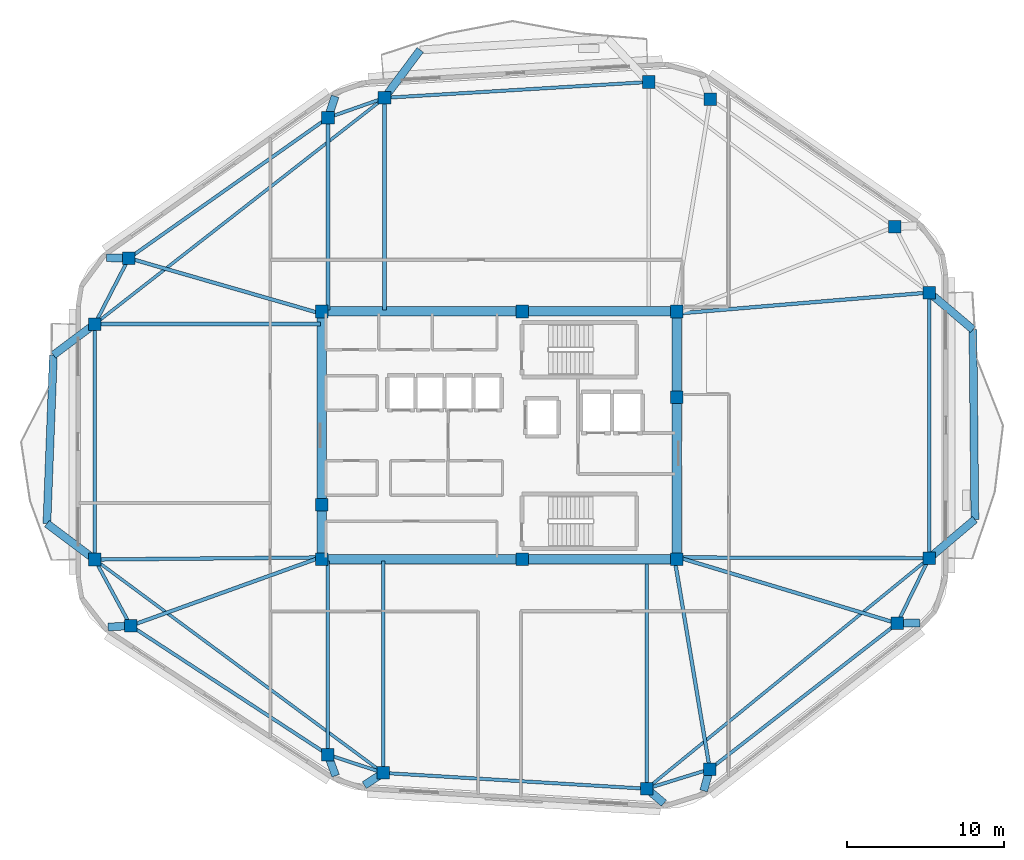
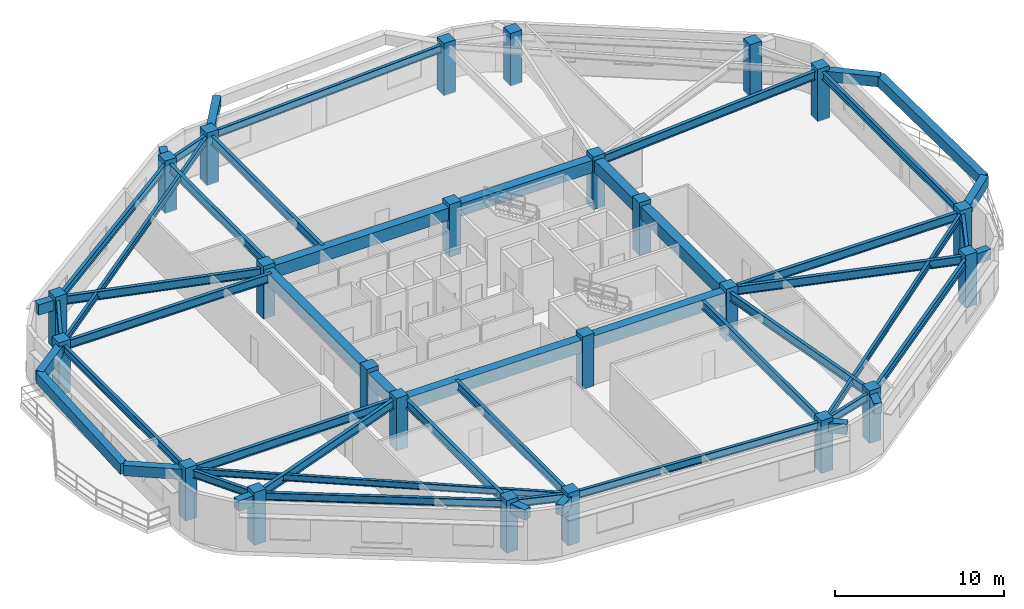
# One storey, part 1 of 9: 52 beams, 24 columns.
"""IFC4 building model written with IfcOpenShell, lengths in metres."""

from ifc_helpers import new_model, si_unit, direction, frame, origin, origin_2d, place, context, subcontext, project, spatial, rectangle, i_section, extrude, material, material_profile, profile_set, type_object, element, save


model = new_model("IFC4")

# Units and contexts
model_context = context("Model", 3, precision=1e-05, world=origin(), true_north=direction((0.0, 1.0)))
body_context = subcontext(model_context, "Body", "Model", "MODEL_VIEW")
ifc_project = project(units=[si_unit("LENGTHUNIT", "METRE"), si_unit("AREAUNIT", "SQUARE_METRE"), si_unit("VOLUMEUNIT", "CUBIC_METRE"), si_unit("PLANEANGLEUNIT", "RADIAN"), si_unit("MASSUNIT", "GRAM", prefix="KILO")], contexts=[model_context])

# Site, building, storey
site_placement = place(None, origin())
site = spatial("IfcSite", under=ifc_project, at=site_placement, CompositionType="ELEMENT")
building_placement = place(site_placement, origin())
building = spatial("IfcBuilding", under=site, at=building_placement, Name="Zulverin Broadcast Headquarters", CompositionType="ELEMENT")
storey_placement = place(building_placement, frame((0.0, 0.0, 244.0)))
storey = spatial("IfcBuildingStorey", under=building, at=storey_placement, Name="L62", CompositionType="ELEMENT", Elevation=244.0)

# Columns
ifc_material_1 = material(Name="Concrete C50/60", Category="concrete")
ifc_material_profile_1 = material_profile(ifc_material_1, rectangle(XDim=0.800048828125, YDim=0.800048828125, at=origin_2d()), Name="Concrete C50/60", Category="concrete")
ifc_profile_set_1 = profile_set([ifc_material_profile_1], Name="Concrete C50/60")
column_type_1 = type_object("IfcColumnType", Name="COL-RC-800", PredefinedType="COLUMN", material=ifc_profile_set_1)
for number, where, z_axis, x_axis, name in (
    (1, (29.6220703125, 3.763671875, 0.0), (0.0, 0.0, 1.0), (1.0, 0.0, 0.0), "L62 Perimeter Column T01"),
    (2, (46.3515625, 2.759521484375, 0.0), (0.0, 0.0, 1.0), (1.0, 0.0, 0.0), "L62 Perimeter Column T02"),
    (3, (50.361083984375, 4.001708984375, 0.0), (0.0, 0.0, 1.0), (1.0, 0.0, 0.0), "L62 Perimeter Column T03"),
    (4, (62.272216796875, 13.262451171875, 0.0), (0.0, 0.0, 1.0), (1.0, 0.0, 0.0), "L62 Perimeter Column T04"),
    (5, (64.300048828125, 17.40771484375, 0.0), (0.0, 0.0, 1.0), (1.0, 0.0, 0.0), "L62 Perimeter Column T05"),
    (6, (64.300048828125, 34.275634765625, 0.0), (0.0, 0.0, 1.0), (1.0, 0.0, 0.0), "L62 Perimeter Column T06"),
    (7, (62.102783203125, 38.465087890625, 0.0), (0.0, 0.0, 1.0), (1.0, 0.0, 0.0), "L62 Perimeter Column T07"),
    (8, (50.39794921875, 46.554443359375, 0.0), (0.0, 0.0, 1.0), (1.0, 0.0, 0.0), "L62 Perimeter Column T08"),
    (9, (46.4814453125, 47.6484375, 0.0), (0.0, 0.0, 1.0), (1.0, 0.0, 0.0), "L62 Perimeter Column T09"),
    (10, (29.70068359375, 46.64111328125, 0.0), (0.0, 0.0, 1.0), (1.0, 0.0, 0.0), "L62 Perimeter Column T10"),
    (11, (26.11474609375, 45.383544921875, 0.0), (0.0, 0.0, 1.0), (1.0, 0.0, 0.0), "L62 Perimeter Column T11"),
    (12, (13.46728515625, 36.457763671875, 0.0), (0.0, 0.0, 1.0), (1.0, 0.0, 0.0), "L62 Perimeter Column T12"),
    (13, (11.300048828125, 32.275390625, 0.0), (0.0, 0.0, 1.0), (1.0, 0.0, 0.0), "L62 Perimeter Column T13"),
    (14, (11.300048828125, 17.318603515625, 0.0), (0.0, 0.0, 1.0), (1.0, 0.0, 0.0), "L62 Perimeter Column T14"),
    (15, (13.576416015625, 13.11181640625, 0.0), (0.0, 0.0, 1.0), (1.0, 0.0, 0.0), "L62 Perimeter Column T15"),
    (16, (26.098876953125, 4.9287109375, 0.0), (0.0, 0.0, 1.0), (1.0, 0.0, 0.0), "L62 Perimeter Column T16"),
):
    element("IfcColumn", number, at=place(storey_placement, frame(where, z_axis=z_axis, x_axis=x_axis)), inside=storey, type_object=column_type_1, Name=name, PredefinedType="COLUMN", context=body_context, shape_type="SweptSolid", body=[
        extrude(rectangle(XDim=0.800048828125, YDim=0.800048828125, at=origin_2d()), origin(), (0.0, 0.0, 1.0), 3.800048828125),
    ])
ifc_material_profile_2 = material_profile(ifc_material_1, rectangle(XDim=0.800048828125, YDim=0.800048828125, at=origin_2d()), Name="Concrete C50/60", Category="concrete")
ifc_profile_set_2 = profile_set([ifc_material_profile_2], Name="Concrete C50/60")
column_type_2 = type_object("IfcColumnType", Name="PIL-RC-800", PredefinedType="PILASTER", material=ifc_profile_set_2)
for number, where, z_axis, x_axis, name in (
    (17, (25.72509765625, 17.324951171875, 0.0), (0.0, 0.0, 1.0), (1.0, 0.0, 0.0), "L62 Core Pilaster K01"),
    (18, (38.449951171875, 17.324951171875, 0.0), (0.0, 0.0, 1.0), (1.0, 0.0, 0.0), "L62 Core Pilaster K02"),
    (19, (48.27490234375, 17.324951171875, 0.0), (0.0, 0.0, 1.0), (1.0, 0.0, 0.0), "L62 Core Pilaster K03"),
    (20, (48.27490234375, 27.6201171875, 0.0), (0.0, 0.0, 1.0), (1.0, 0.0, 0.0), "L62 Core Pilaster K04"),
    (21, (48.27490234375, 33.074951171875, 0.0), (0.0, 0.0, 1.0), (1.0, 0.0, 0.0), "L62 Core Pilaster K05"),
    (22, (38.449951171875, 33.074951171875, 0.0), (0.0, 0.0, 1.0), (1.0, 0.0, 0.0), "L62 Core Pilaster K06"),
    (23, (25.72509765625, 33.074951171875, 0.0), (0.0, 0.0, 1.0), (1.0, 0.0, 0.0), "L62 Core Pilaster K07"),
    (24, (25.72509765625, 20.800048828125, 0.0), (0.0, 0.0, 1.0), (1.0, 0.0, 0.0), "L62 Core Pilaster K08"),
):
    element("IfcColumn", number, at=place(storey_placement, frame(where, z_axis=z_axis, x_axis=x_axis)), inside=storey, type_object=column_type_2, Name=name, PredefinedType="PILASTER", context=body_context, shape_type="SweptSolid", body=[
        extrude(rectangle(XDim=0.800048828125, YDim=0.800048828125, at=origin_2d()), origin(), (0.0, 0.0, 1.0), 3.800048828125),
    ])

# Beams
ifc_material_2 = material(Name="Concrete C60/75", Category="concrete")
ifc_material_profile_3 = material_profile(ifc_material_2, rectangle(XDim=0.60009765625, YDim=0.89990234375, at=origin_2d()), Name="Concrete C60/75", Category="concrete")
ifc_profile_set_3 = profile_set([ifc_material_profile_3], Name="Concrete C60/75")
beam_type_1 = type_object("IfcBeamType", Name="BM-CB-600x900", PredefinedType="LINTEL", material=ifc_profile_set_3)
beam_1_placement = place(storey_placement, frame((25.72509765625, 17.324951171875, 3.06005859375), z_axis=(1.0, 0.0, 0.0), x_axis=(0.0, 1.0, 0.0)))
element("IfcBeam", 25, at=beam_1_placement, inside=storey, type_object=beam_type_1, Name="L62 Core Coupling Girder K01-K02", PredefinedType="LINTEL", context=body_context, shape_type="SweptSolid", body=[
    extrude(rectangle(XDim=0.60009765625, YDim=0.89990234375, at=origin_2d()), origin(), (0.0, 0.0, 1.0), 12.724853515625),
])
beam_2_placement = place(storey_placement, frame((38.449951171875, 17.324951171875, 3.06005859375), z_axis=(1.0, 0.0, 0.0), x_axis=(0.0, 1.0, 0.0)))
element("IfcBeam", 26, at=beam_2_placement, inside=storey, type_object=beam_type_1, Name="L62 Core Coupling Girder K02-K03", PredefinedType="LINTEL", context=body_context, shape_type="SweptSolid", body=[
    extrude(rectangle(XDim=0.60009765625, YDim=0.89990234375, at=origin_2d()), origin(), (0.0, 0.0, 1.0), 9.824951171875),
])
beam_3_placement = place(storey_placement, frame((48.27490234375, 17.324951171875, 3.06005859375), z_axis=(0.0, 1.0, 0.0), x_axis=(-1.0, 0.0, 0.0)))
element("IfcBeam", 27, at=beam_3_placement, inside=storey, type_object=beam_type_1, Name="L62 Core Coupling Girder K03-K04", PredefinedType="LINTEL", context=body_context, shape_type="SweptSolid", body=[
    extrude(rectangle(XDim=0.60009765625, YDim=0.89990234375, at=origin_2d()), origin(), (0.0, 0.0, 1.0), 10.295166015625),
])
beam_4_placement = place(storey_placement, frame((48.27490234375, 27.6201171875, 3.06005859375), z_axis=(0.0, 1.0, 0.0), x_axis=(-1.0, 0.0, 0.0)))
element("IfcBeam", 28, at=beam_4_placement, inside=storey, type_object=beam_type_1, Name="L62 Core Coupling Girder K04-K05", PredefinedType="LINTEL", context=body_context, shape_type="SweptSolid", body=[
    extrude(rectangle(XDim=0.60009765625, YDim=0.89990234375, at=origin_2d()), origin(), (0.0, 0.0, 1.0), 5.454833984375),
])
beam_5_placement = place(storey_placement, frame((48.27490234375, 33.074951171875, 3.06005859375), z_axis=(-1.0, 0.0, 0.0), x_axis=(0.0, -1.0, 0.0)))
element("IfcBeam", 29, at=beam_5_placement, inside=storey, type_object=beam_type_1, Name="L62 Core Coupling Girder K05-K06", PredefinedType="LINTEL", context=body_context, shape_type="SweptSolid", body=[
    extrude(rectangle(XDim=0.60009765625, YDim=0.89990234375, at=origin_2d()), origin(), (0.0, 0.0, 1.0), 9.824951171875),
])
beam_6_placement = place(storey_placement, frame((38.449951171875, 33.074951171875, 3.06005859375), z_axis=(-1.0, 0.0, 0.0), x_axis=(0.0, -1.0, 0.0)))
element("IfcBeam", 30, at=beam_6_placement, inside=storey, type_object=beam_type_1, Name="L62 Core Coupling Girder K06-K07", PredefinedType="LINTEL", context=body_context, shape_type="SweptSolid", body=[
    extrude(rectangle(XDim=0.60009765625, YDim=0.89990234375, at=origin_2d()), origin(), (0.0, 0.0, 1.0), 12.724853515625),
])
beam_7_placement = place(storey_placement, frame((25.72509765625, 33.074951171875, 3.06005859375), z_axis=(0.0, -1.0, 0.0), x_axis=(1.0, 0.0, 0.0)))
element("IfcBeam", 31, at=beam_7_placement, inside=storey, type_object=beam_type_1, Name="L62 Core Coupling Girder K07-K08", PredefinedType="LINTEL", context=body_context, shape_type="SweptSolid", body=[
    extrude(rectangle(XDim=0.60009765625, YDim=0.89990234375, at=origin_2d()), origin(), (0.0, 0.0, 1.0), 12.27490234375),
])
beam_8_placement = place(storey_placement, frame((25.72509765625, 20.800048828125, 3.06005859375), z_axis=(0.0, -1.0, 0.0), x_axis=(1.0, 0.0, 0.0)))
element("IfcBeam", 32, at=beam_8_placement, inside=storey, type_object=beam_type_1, Name="L62 Core Coupling Girder K08-K01", PredefinedType="LINTEL", context=body_context, shape_type="SweptSolid", body=[
    extrude(rectangle(XDim=0.60009765625, YDim=0.89990234375, at=origin_2d()), origin(), (0.0, 0.0, 1.0), 3.47509765625),
])
ifc_material_3 = material(Name="Concrete C40/50", Category="concrete")
ifc_material_profile_4 = material_profile(ifc_material_3, rectangle(XDim=0.5, YDim=0.75, at=origin_2d()), Name="Concrete C40/50", Category="concrete")
ifc_profile_set_4 = profile_set([ifc_material_profile_4], Name="Concrete C40/50")
beam_type_2 = type_object("IfcBeamType", Name="BM-RC-500x750", PredefinedType="BEAM", material=ifc_profile_set_4)
beam_9_placement = place(storey_placement, frame((29.6220703125, 3.763671875, 3.135009765625), z_axis=(-0.83837730459, -0.545090355031, 0.0), x_axis=(0.545090355031, -0.83837730459, 0.0)))
element("IfcBeam", 33, at=beam_9_placement, inside=storey, type_object=beam_type_2, Name="L63 Plate Overhang Back-Spanned Beam OVR-01", PredefinedType="BEAM", context=body_context, shape_type="SweptSolid", body=[
    extrude(rectangle(XDim=0.5, YDim=0.75, at=origin_2d()), origin(), (0.0, 0.0, 1.0), 1.43017578125),
])
for number, where, z_axis, x_axis, name in (
    (34, (46.3515625, 2.759521484375, 3.135009765625), (0.767058538949, -0.641577117598, 0.0), (0.641577117598, 0.767058538949, 0.0), "L63 Plate Overhang Back-Spanned Beam OVR-02"),
    (35, (50.361083984375, 4.001708984375, 3.135009765625), (-0.269914876125, -0.962884188076, 0.0), (0.962884188076, -0.269914876125, 0.0), "L63 Plate Overhang Back-Spanned Beam OVR-03"),
):
    element("IfcBeam", number, at=place(storey_placement, frame(where, z_axis=z_axis, x_axis=x_axis)), inside=storey, type_object=beam_type_2, Name=name, PredefinedType="BEAM", context=body_context, shape_type="SweptSolid", body=[
        extrude(rectangle(XDim=0.5, YDim=0.75, at=origin_2d()), origin(), (0.0, 0.0, 1.0), 1.429931640625),
    ])
for number, where, z_axis, x_axis, name in (
    (36, (62.272216796875, 13.262451171875, 3.135009765625), (0.999706131466, 0.024241507969, 0.0), (-0.024241507969, 0.999706131466, 0.0), "L63 Plate Overhang Back-Spanned Beam OVR-04"),
    (37, (26.11474609375, 45.383544921875, 3.135009765625), (0.314280982662, 0.94933000792, 0.0), (-0.94933000792, 0.314280982662, 0.0), "L63 Plate Overhang Back-Spanned Beam OVR-11"),
):
    element("IfcBeam", number, at=place(storey_placement, frame(where, z_axis=z_axis, x_axis=x_axis)), inside=storey, type_object=beam_type_2, Name=name, PredefinedType="BEAM", context=body_context, shape_type="SweptSolid", body=[
        extrude(rectangle(XDim=0.5, YDim=0.75, at=origin_2d()), origin(), (0.0, 0.0, 1.0), 1.43017578125),
    ])
beam_10_placement = place(storey_placement, frame((13.46728515625, 36.457763671875, 3.135009765625), z_axis=(-0.999761201155, 0.02185270385, 0.0), x_axis=(-0.02185270385, -0.999761201155, 0.0)))
element("IfcBeam", 38, at=beam_10_placement, inside=storey, type_object=beam_type_2, Name="L63 Plate Overhang Back-Spanned Beam OVR-12", PredefinedType="BEAM", context=body_context, shape_type="SweptSolid", body=[
    extrude(rectangle(XDim=0.5, YDim=0.75, at=origin_2d()), origin(), (0.0, 0.0, 1.0), 1.429931640625),
])
beam_11_placement = place(storey_placement, frame((13.576416015625, 13.11181640625, 3.135009765625), z_axis=(-0.998333895448, -0.057701240879, 0.0), x_axis=(0.057701240879, -0.998333895448, 0.0)))
element("IfcBeam", 39, at=beam_11_placement, inside=storey, type_object=beam_type_2, Name="L63 Plate Overhang Back-Spanned Beam OVR-15", PredefinedType="BEAM", context=body_context, shape_type="SweptSolid", body=[
    extrude(rectangle(XDim=0.5, YDim=0.75, at=origin_2d()), origin(), (0.0, 0.0, 1.0), 1.43017578125),
])
beam_12_placement = place(storey_placement, frame((26.098876953125, 4.9287109375, 3.135009765625), z_axis=(0.348109371259, -0.93745392721, 0.0), x_axis=(0.93745392721, 0.348109371259, 0.0)))
element("IfcBeam", 40, at=beam_12_placement, inside=storey, type_object=beam_type_2, Name="L63 Plate Overhang Back-Spanned Beam OVR-16", PredefinedType="BEAM", context=body_context, shape_type="SweptSolid", body=[
    extrude(rectangle(XDim=0.5, YDim=0.75, at=origin_2d()), origin(), (0.0, 0.0, 1.0), 1.429931640625),
])
beam_13_placement = place(storey_placement, frame((64.300048828125, 17.40771484375, 3.135009765625), z_axis=(0.763327794612, 0.646011360561, 0.0), x_axis=(-0.646011360561, 0.763327794612, 0.0)))
element("IfcBeam", 41, at=beam_13_placement, inside=storey, type_object=beam_type_2, Name="L63 Balcony Column-Framed Cantilever BAL_E-1", PredefinedType="BEAM", context=body_context, shape_type="SweptSolid", body=[
    extrude(rectangle(XDim=0.5, YDim=0.75, at=origin_2d()), origin(), (0.0, 0.0, 1.0), 3.800048828125),
])
beam_14_placement = place(storey_placement, frame((64.300048828125, 34.275634765625, 3.135009765625), z_axis=(0.763363371281, -0.645969320778, 0.0), x_axis=(0.645969320778, 0.763363371281, 0.0)))
element("IfcBeam", 42, at=beam_14_placement, inside=storey, type_object=beam_type_2, Name="L63 Balcony Column-Framed Cantilever BAL_E-2", PredefinedType="BEAM", context=body_context, shape_type="SweptSolid", body=[
    extrude(rectangle(XDim=0.5, YDim=0.75, at=origin_2d()), origin(), (0.0, 0.0, 1.0), 3.637451171875),
])
beam_15_placement = place(storey_placement, frame((67.20068359375, 19.862548828125, 3.135009765625), z_axis=(-0.010280360137, 0.999947155701, 0.0), x_axis=(-0.999947155701, -0.010280360137, 0.0)))
element("IfcBeam", 43, at=beam_15_placement, inside=storey, type_object=beam_type_2, Name="L63 Balcony Outer Edge Trimmer Beam BAL_E", PredefinedType="BEAM", context=body_context, shape_type="SweptSolid", body=[
    extrude(rectangle(XDim=0.5, YDim=0.75, at=origin_2d()), origin(), (0.0, 0.0, 1.0), 12.064208984375),
])
beam_16_placement = place(storey_placement, frame((29.70068359375, 46.64111328125, 3.135009765625), z_axis=(0.597756700855, 0.801677570213, 0.0), x_axis=(-0.801677570213, 0.597756700855, 0.0)))
element("IfcBeam", 44, at=beam_16_placement, inside=storey, type_object=beam_type_2, Name="L63 Balcony Column-Framed Cantilever BAL_N-2", PredefinedType="BEAM", context=body_context, shape_type="SweptSolid", body=[
    extrude(rectangle(XDim=0.5, YDim=0.75, at=origin_2d()), origin(), (0.0, 0.0, 1.0), 3.800048828125),
])
beam_17_placement = place(storey_placement, frame((11.300048828125, 32.275390625, 3.135009765625), z_axis=(-0.800222827403, -0.599702781803, 0.0), x_axis=(0.599702781803, -0.800222827403, 0.0)))
element("IfcBeam", 45, at=beam_17_placement, inside=storey, type_object=beam_type_2, Name="L63 Balcony Column-Framed Cantilever BAL_W-1", PredefinedType="BEAM", context=body_context, shape_type="SweptSolid", body=[
    extrude(rectangle(XDim=0.5, YDim=0.75, at=origin_2d()), origin(), (0.0, 0.0, 1.0), 3.2861328125),
])
beam_18_placement = place(storey_placement, frame((11.300048828125, 17.318603515625, 3.135009765625), z_axis=(-0.80024663654, 0.599671010394, 0.0), x_axis=(-0.599671010394, -0.80024663654, 0.0)))
element("IfcBeam", 46, at=beam_18_placement, inside=storey, type_object=beam_type_2, Name="L63 Balcony Column-Framed Cantilever BAL_W-2", PredefinedType="BEAM", context=body_context, shape_type="SweptSolid", body=[
    extrude(rectangle(XDim=0.5, YDim=0.75, at=origin_2d()), origin(), (0.0, 0.0, 1.0), 3.800048828125),
])
beam_19_placement = place(storey_placement, frame((8.67041015625, 30.3046875, 3.135009765625), z_axis=(-0.03839199542, -0.999262755579, 0.0), x_axis=(0.999262755579, -0.03839199542, 0.0)))
element("IfcBeam", 47, at=beam_19_placement, inside=storey, type_object=beam_type_2, Name="L63 Balcony Outer Edge Trimmer Beam BAL_W", PredefinedType="BEAM", context=body_context, shape_type="SweptSolid", body=[
    extrude(rectangle(XDim=0.5, YDim=0.75, at=origin_2d()), origin(), (0.0, 0.0, 1.0), 10.715087890625),
])
ifc_material_4 = material(Name="Structural steel S355JR", Category="steel")
ifc_material_profile_5 = material_profile(ifc_material_4, i_section(OverallWidth=0.19287109375, OverallDepth=0.46728515625, WebThickness=0.011474609375, FlangeThickness=0.01953125, at=origin_2d()), Name="Structural steel S355JR", Category="steel")
ifc_profile_set_5 = profile_set([ifc_material_profile_5], Name="Structural steel S355JR")
beam_type_3 = type_object("IfcBeamType", Name="BM-UB-457", PredefinedType="JOIST", material=ifc_profile_set_5)
beam_20_placement = place(storey_placement, frame((46.3515625, 2.759521484375, 3.2763671875), z_axis=(0.77473799882, 0.632282399869, 0.0), x_axis=(-0.632282399869, 0.77473799882, 0.0)))
element("IfcBeam", 48, at=beam_20_placement, inside=storey, type_object=beam_type_3, Name="L62 Chordal Floor Joist J-01", PredefinedType="JOIST", context=body_context, shape_type="SweptSolid", body=[
    extrude(i_section(OverallWidth=0.19287109375, OverallDepth=0.46728515625, WebThickness=0.011474609375, FlangeThickness=0.01953125, at=origin_2d()), origin(), (0.0, 0.0, 1.0), 23.167236328125),
])
beam_21_placement = place(storey_placement, frame((29.70068359375, 46.64111328125, 3.2763671875), z_axis=(-0.788227438956, -0.615384030079, 0.0), x_axis=(0.615384030079, -0.788227438956, 0.0)))
element("IfcBeam", 49, at=beam_21_placement, inside=storey, type_object=beam_type_3, Name="L62 Chordal Floor Joist J-03", PredefinedType="JOIST", context=body_context, shape_type="SweptSolid", body=[
    extrude(i_section(OverallWidth=0.19287109375, OverallDepth=0.46728515625, WebThickness=0.011474609375, FlangeThickness=0.01953125, at=origin_2d()), origin(), (0.0, 0.0, 1.0), 23.34423828125),
])
beam_22_placement = place(storey_placement, frame((11.300048828125, 17.318603515625, 3.2763671875), z_axis=(0.803912476144, -0.594747619332, 0.0), x_axis=(0.594747619332, 0.803912476144, 0.0)))
element("IfcBeam", 50, at=beam_22_placement, inside=storey, type_object=beam_type_3, Name="L62 Chordal Floor Joist J-04", PredefinedType="JOIST", context=body_context, shape_type="SweptSolid", body=[
    extrude(i_section(OverallWidth=0.19287109375, OverallDepth=0.46728515625, WebThickness=0.011474609375, FlangeThickness=0.01953125, at=origin_2d()), origin(), (0.0, 0.0, 1.0), 22.791015625),
])
ifc_material_profile_6 = material_profile(ifc_material_4, i_section(OverallWidth=0.2119140625, OverallDepth=0.54443359375, WebThickness=0.0126953125, FlangeThickness=0.021240234375, at=origin_2d()), Name="Structural steel S355JR", Category="steel")
ifc_profile_set_6 = profile_set([ifc_material_profile_6], Name="Structural steel S355JR")
beam_type_4 = type_object("IfcBeamType", Name="BM-UB-533", PredefinedType="SPANDREL", material=ifc_profile_set_6)
beam_23_placement = place(storey_placement, frame((29.6220703125, 3.763671875, 3.23779296875), z_axis=(0.998203486609, -0.059914934044, 0.0), x_axis=(0.059914934044, 0.998203486609, 0.0)))
element("IfcBeam", 51, at=beam_23_placement, inside=storey, type_object=beam_type_4, Name="L62 Perimeter Spandrel Beam SP-01", PredefinedType="SPANDREL", context=body_context, shape_type="SweptSolid", body=[
    extrude(i_section(OverallWidth=0.2119140625, OverallDepth=0.54443359375, WebThickness=0.0126953125, FlangeThickness=0.021240234375, at=origin_2d()), origin(), (0.0, 0.0, 1.0), 16.759521484375),
])
beam_24_placement = place(storey_placement, frame((46.3515625, 2.759521484375, 3.23779296875), z_axis=(0.955208799219, 0.295932677978, 0.0), x_axis=(-0.295932677978, 0.955208799219, 0.0)))
element("IfcBeam", 52, at=beam_24_placement, inside=storey, type_object=beam_type_4, Name="L62 Perimeter Spandrel Beam SP-02", PredefinedType="SPANDREL", context=body_context, shape_type="SweptSolid", body=[
    extrude(i_section(OverallWidth=0.2119140625, OverallDepth=0.54443359375, WebThickness=0.0126953125, FlangeThickness=0.021240234375, at=origin_2d()), origin(), (0.0, 0.0, 1.0), 4.197509765625),
])
beam_25_placement = place(storey_placement, frame((50.361083984375, 4.001708984375, 3.23779296875), z_axis=(0.789463732329, 0.613797210271, 0.0), x_axis=(-0.613797210271, 0.789463732329, 0.0)))
element("IfcBeam", 53, at=beam_25_placement, inside=storey, type_object=beam_type_4, Name="L62 Perimeter Spandrel Beam SP-03", PredefinedType="SPANDREL", context=body_context, shape_type="SweptSolid", body=[
    extrude(i_section(OverallWidth=0.2119140625, OverallDepth=0.54443359375, WebThickness=0.0126953125, FlangeThickness=0.021240234375, at=origin_2d()), origin(), (0.0, 0.0, 1.0), 15.087646484375),
])
beam_26_placement = place(storey_placement, frame((62.272216796875, 13.262451171875, 3.23779296875), z_axis=(0.439430258265, 0.898276710219, 0.0), x_axis=(-0.898276710219, 0.439430258265, 0.0)))
element("IfcBeam", 54, at=beam_26_placement, inside=storey, type_object=beam_type_4, Name="L62 Perimeter Spandrel Beam SP-04", PredefinedType="SPANDREL", context=body_context, shape_type="SweptSolid", body=[
    extrude(i_section(OverallWidth=0.2119140625, OverallDepth=0.54443359375, WebThickness=0.0126953125, FlangeThickness=0.021240234375, at=origin_2d()), origin(), (0.0, 0.0, 1.0), 4.61474609375),
])
beam_27_placement = place(storey_placement, frame((64.300048828125, 17.40771484375, 3.23779296875), z_axis=(0.0, 1.0, 0.0), x_axis=(-1.0, 0.0, 0.0)))
element("IfcBeam", 55, at=beam_27_placement, inside=storey, type_object=beam_type_4, Name="L62 Perimeter Spandrel Beam SP-05", PredefinedType="SPANDREL", context=body_context, shape_type="SweptSolid", body=[
    extrude(i_section(OverallWidth=0.2119140625, OverallDepth=0.54443359375, WebThickness=0.0126953125, FlangeThickness=0.021240234375, at=origin_2d()), origin(), (0.0, 0.0, 1.0), 16.867919921875),
])
beam_28_placement = place(storey_placement, frame((46.4814453125, 47.6484375, 3.23779296875), z_axis=(-0.99820314332, -0.059920653088, 0.0), x_axis=(0.059920653088, -0.99820314332, 0.0)))
element("IfcBeam", 56, at=beam_28_placement, inside=storey, type_object=beam_type_4, Name="L62 Perimeter Spandrel Beam SP-09", PredefinedType="SPANDREL", context=body_context, shape_type="SweptSolid", body=[
    extrude(i_section(OverallWidth=0.2119140625, OverallDepth=0.54443359375, WebThickness=0.0126953125, FlangeThickness=0.021240234375, at=origin_2d()), origin(), (0.0, 0.0, 1.0), 16.81103515625),
])
beam_29_placement = place(storey_placement, frame((29.70068359375, 46.64111328125, 3.23779296875), z_axis=(-0.943653845921, -0.330934161243, 0.0), x_axis=(0.330934161243, -0.943653845921, 0.0)))
element("IfcBeam", 57, at=beam_29_placement, inside=storey, type_object=beam_type_4, Name="L62 Perimeter Spandrel Beam SP-10", PredefinedType="SPANDREL", context=body_context, shape_type="SweptSolid", body=[
    extrude(i_section(OverallWidth=0.2119140625, OverallDepth=0.54443359375, WebThickness=0.0126953125, FlangeThickness=0.021240234375, at=origin_2d()), origin(), (0.0, 0.0, 1.0), 3.800048828125),
])
beam_30_placement = place(storey_placement, frame((26.11474609375, 45.383544921875, 3.23779296875), z_axis=(-0.817023806154, -0.576603937012, 0.0), x_axis=(0.576603937012, -0.817023806154, 0.0)))
element("IfcBeam", 58, at=beam_30_placement, inside=storey, type_object=beam_type_4, Name="L62 Perimeter Spandrel Beam SP-11", PredefinedType="SPANDREL", context=body_context, shape_type="SweptSolid", body=[
    extrude(i_section(OverallWidth=0.2119140625, OverallDepth=0.54443359375, WebThickness=0.0126953125, FlangeThickness=0.021240234375, at=origin_2d()), origin(), (0.0, 0.0, 1.0), 15.47998046875),
])
beam_31_placement = place(storey_placement, frame((13.46728515625, 36.457763671875, 3.23779296875), z_axis=(-0.460082658911, -0.887876087621, 0.0), x_axis=(0.887876087621, -0.460082658911, 0.0)))
element("IfcBeam", 59, at=beam_31_placement, inside=storey, type_object=beam_type_4, Name="L62 Perimeter Spandrel Beam SP-12", PredefinedType="SPANDREL", context=body_context, shape_type="SweptSolid", body=[
    extrude(i_section(OverallWidth=0.2119140625, OverallDepth=0.54443359375, WebThickness=0.0126953125, FlangeThickness=0.021240234375, at=origin_2d()), origin(), (0.0, 0.0, 1.0), 4.71044921875),
])
beam_32_placement = place(storey_placement, frame((11.300048828125, 32.275390625, 3.23779296875), z_axis=(0.0, -1.0, 0.0), x_axis=(1.0, 0.0, 0.0)))
element("IfcBeam", 60, at=beam_32_placement, inside=storey, type_object=beam_type_4, Name="L62 Perimeter Spandrel Beam SP-13", PredefinedType="SPANDREL", context=body_context, shape_type="SweptSolid", body=[
    extrude(i_section(OverallWidth=0.2119140625, OverallDepth=0.54443359375, WebThickness=0.0126953125, FlangeThickness=0.021240234375, at=origin_2d()), origin(), (0.0, 0.0, 1.0), 14.956787109375),
])
beam_33_placement = place(storey_placement, frame((11.300048828125, 17.318603515625, 3.23779296875), z_axis=(0.475909852672, -0.879494066, 0.0), x_axis=(0.879494066, 0.475909852672, 0.0)))
element("IfcBeam", 61, at=beam_33_placement, inside=storey, type_object=beam_type_4, Name="L62 Perimeter Spandrel Beam SP-14", PredefinedType="SPANDREL", context=body_context, shape_type="SweptSolid", body=[
    extrude(i_section(OverallWidth=0.2119140625, OverallDepth=0.54443359375, WebThickness=0.0126953125, FlangeThickness=0.021240234375, at=origin_2d()), origin(), (0.0, 0.0, 1.0), 4.783203125),
])
beam_34_placement = place(storey_placement, frame((13.576416015625, 13.11181640625, 3.23779296875), z_axis=(0.837112191398, -0.547031241349, 0.0), x_axis=(0.547031241349, 0.837112191398, 0.0)))
element("IfcBeam", 62, at=beam_34_placement, inside=storey, type_object=beam_type_4, Name="L62 Perimeter Spandrel Beam SP-15", PredefinedType="SPANDREL", context=body_context, shape_type="SweptSolid", body=[
    extrude(i_section(OverallWidth=0.2119140625, OverallDepth=0.54443359375, WebThickness=0.0126953125, FlangeThickness=0.021240234375, at=origin_2d()), origin(), (0.0, 0.0, 1.0), 14.959228515625),
])
beam_35_placement = place(storey_placement, frame((26.098876953125, 4.9287109375, 3.23779296875), z_axis=(0.949437184981, -0.313957054031, 0.0), x_axis=(0.313957054031, 0.949437184981, 0.0)))
element("IfcBeam", 63, at=beam_35_placement, inside=storey, type_object=beam_type_4, Name="L62 Perimeter Spandrel Beam SP-16", PredefinedType="SPANDREL", context=body_context, shape_type="SweptSolid", body=[
    extrude(i_section(OverallWidth=0.2119140625, OverallDepth=0.54443359375, WebThickness=0.0126953125, FlangeThickness=0.021240234375, at=origin_2d()), origin(), (0.0, 0.0, 1.0), 3.7109375),
])
ifc_material_profile_7 = material_profile(ifc_material_4, i_section(OverallWidth=0.230224609375, OverallDepth=0.6171875, WebThickness=0.01318359375, FlangeThickness=0.022216796875, at=origin_2d()), Name="Structural steel S355JR", Category="steel")
ifc_profile_set_7 = profile_set([ifc_material_profile_7], Name="Structural steel S355JR")
beam_type_5 = type_object("IfcBeamType", Name="BM-UB-610", PredefinedType="BEAM", material=ifc_profile_set_7)
beam_36_placement = place(storey_placement, frame((29.6220703125, 17.22509765625, 3.201416015625), z_axis=(0.0, -1.0, 0.0), x_axis=(1.0, 0.0, 0.0)))
element("IfcBeam", 64, at=beam_36_placement, inside=storey, type_object=beam_type_5, Name="L62 Radial Primary Floor Beam RB-01", PredefinedType="BEAM", context=body_context, shape_type="SweptSolid", body=[
    extrude(i_section(OverallWidth=0.230224609375, OverallDepth=0.6171875, WebThickness=0.01318359375, FlangeThickness=0.022216796875, at=origin_2d()), origin(), (0.0, 0.0, 1.0), 13.46142578125),
])
beam_37_placement = place(storey_placement, frame((46.3515625, 17.22509765625, 3.201416015625), z_axis=(0.0, -1.0, 0.0), x_axis=(1.0, 0.0, 0.0)))
element("IfcBeam", 65, at=beam_37_placement, inside=storey, type_object=beam_type_5, Name="L62 Radial Primary Floor Beam RB-02", PredefinedType="BEAM", context=body_context, shape_type="SweptSolid", body=[
    extrude(i_section(OverallWidth=0.230224609375, OverallDepth=0.6171875, WebThickness=0.01318359375, FlangeThickness=0.022216796875, at=origin_2d()), origin(), (0.0, 0.0, 1.0), 14.465576171875),
])
beam_38_placement = place(storey_placement, frame((48.14990234375, 17.22509765625, 3.201416015625), z_axis=(0.1649275445, -0.986305685407, 0.0), x_axis=(0.986305685407, 0.1649275445, 0.0)))
element("IfcBeam", 66, at=beam_38_placement, inside=storey, type_object=beam_type_5, Name="L62 Radial Primary Floor Beam RB-03", PredefinedType="BEAM", context=body_context, shape_type="SweptSolid", body=[
    extrude(i_section(OverallWidth=0.230224609375, OverallDepth=0.6171875, WebThickness=0.01318359375, FlangeThickness=0.022216796875, at=origin_2d()), origin(), (0.0, 0.0, 1.0), 13.406982421875),
])
beam_39_placement = place(storey_placement, frame((48.375, 17.449951171875, 3.201416015625), z_axis=(0.957477907331, -0.288506597799, 0.0), x_axis=(0.288506597799, 0.957477907331, 0.0)))
element("IfcBeam", 67, at=beam_39_placement, inside=storey, type_object=beam_type_5, Name="L62 Radial Primary Floor Beam RB-04", PredefinedType="BEAM", context=body_context, shape_type="SweptSolid", body=[
    extrude(i_section(OverallWidth=0.230224609375, OverallDepth=0.6171875, WebThickness=0.01318359375, FlangeThickness=0.022216796875, at=origin_2d()), origin(), (0.0, 0.0, 1.0), 14.514404296875),
])
beam_40_placement = place(storey_placement, frame((48.375, 17.449951171875, 3.201416015625), z_axis=(0.999996482951, -0.002652185248, 0.0), x_axis=(0.002652185248, 0.999996482951, 0.0)))
element("IfcBeam", 68, at=beam_40_placement, inside=storey, type_object=beam_type_5, Name="L62 Radial Primary Floor Beam RB-05", PredefinedType="BEAM", context=body_context, shape_type="SweptSolid", body=[
    extrude(i_section(OverallWidth=0.230224609375, OverallDepth=0.6171875, WebThickness=0.01318359375, FlangeThickness=0.022216796875, at=origin_2d()), origin(), (0.0, 0.0, 1.0), 15.925048828125),
])
beam_41_placement = place(storey_placement, frame((48.375, 32.949951171875, 3.201416015625), z_axis=(0.996553024533, 0.082958238256, 0.0), x_axis=(-0.082958238256, 0.996553024533, 0.0)))
element("IfcBeam", 69, at=beam_41_placement, inside=storey, type_object=beam_type_5, Name="L62 Radial Primary Floor Beam RB-06", PredefinedType="BEAM", context=body_context, shape_type="SweptSolid", body=[
    extrude(i_section(OverallWidth=0.230224609375, OverallDepth=0.6171875, WebThickness=0.01318359375, FlangeThickness=0.022216796875, at=origin_2d()), origin(), (0.0, 0.0, 1.0), 15.980224609375),
])
beam_42_placement = place(storey_placement, frame((29.70068359375, 33.175048828125, 3.201416015625), z_axis=(0.0, 1.0, 0.0), x_axis=(-1.0, 0.0, 0.0)))
element("IfcBeam", 70, at=beam_42_placement, inside=storey, type_object=beam_type_5, Name="L62 Radial Primary Floor Beam RB-10", PredefinedType="BEAM", context=body_context, shape_type="SweptSolid", body=[
    extrude(i_section(OverallWidth=0.230224609375, OverallDepth=0.6171875, WebThickness=0.01318359375, FlangeThickness=0.022216796875, at=origin_2d()), origin(), (0.0, 0.0, 1.0), 13.466064453125),
])
beam_43_placement = place(storey_placement, frame((26.11474609375, 33.175048828125, 3.201416015625), z_axis=(0.0, 1.0, 0.0), x_axis=(-1.0, 0.0, 0.0)))
element("IfcBeam", 71, at=beam_43_placement, inside=storey, type_object=beam_type_5, Name="L62 Radial Primary Floor Beam RB-11", PredefinedType="BEAM", context=body_context, shape_type="SweptSolid", body=[
    extrude(i_section(OverallWidth=0.230224609375, OverallDepth=0.6171875, WebThickness=0.01318359375, FlangeThickness=0.022216796875, at=origin_2d()), origin(), (0.0, 0.0, 1.0), 12.20849609375),
])
beam_44_placement = place(storey_placement, frame((25.625, 32.949951171875, 3.201416015625), z_axis=(-0.960807187215, 0.277217512067, 0.0), x_axis=(-0.277217512067, -0.960807187215, 0.0)))
element("IfcBeam", 72, at=beam_44_placement, inside=storey, type_object=beam_type_5, Name="L62 Radial Primary Floor Beam RB-12", PredefinedType="BEAM", context=body_context, shape_type="SweptSolid", body=[
    extrude(i_section(OverallWidth=0.230224609375, OverallDepth=0.6171875, WebThickness=0.01318359375, FlangeThickness=0.022216796875, at=origin_2d()), origin(), (0.0, 0.0, 1.0), 12.653564453125),
])
beam_45_placement = place(storey_placement, frame((25.625, 32.275390625, 3.201416015625), z_axis=(-1.0, 0.0, 0.0), x_axis=(0.0, -1.0, 0.0)))
element("IfcBeam", 73, at=beam_45_placement, inside=storey, type_object=beam_type_5, Name="L62 Radial Primary Floor Beam RB-13", PredefinedType="BEAM", context=body_context, shape_type="SweptSolid", body=[
    extrude(i_section(OverallWidth=0.230224609375, OverallDepth=0.6171875, WebThickness=0.01318359375, FlangeThickness=0.022216796875, at=origin_2d()), origin(), (0.0, 0.0, 1.0), 14.324951171875),
])
beam_46_placement = place(storey_placement, frame((25.625, 17.449951171875, 3.201416015625), z_axis=(-0.999957965975, -0.009168766693, 0.0), x_axis=(0.009168766693, -0.999957965975, 0.0)))
element("IfcBeam", 74, at=beam_46_placement, inside=storey, type_object=beam_type_5, Name="L62 Radial Primary Floor Beam RB-14", PredefinedType="BEAM", context=body_context, shape_type="SweptSolid", body=[
    extrude(i_section(OverallWidth=0.230224609375, OverallDepth=0.6171875, WebThickness=0.01318359375, FlangeThickness=0.022216796875, at=origin_2d()), origin(), (0.0, 0.0, 1.0), 14.325439453125),
])
beam_47_placement = place(storey_placement, frame((25.625, 17.449951171875, 3.201416015625), z_axis=(-0.940871370382, -0.338764024646, 0.0), x_axis=(0.338764024646, -0.940871370382, 0.0)))
element("IfcBeam", 75, at=beam_47_placement, inside=storey, type_object=beam_type_5, Name="L62 Radial Primary Floor Beam RB-15", PredefinedType="BEAM", context=body_context, shape_type="SweptSolid", body=[
    extrude(i_section(OverallWidth=0.230224609375, OverallDepth=0.6171875, WebThickness=0.01318359375, FlangeThickness=0.022216796875, at=origin_2d()), origin(), (0.0, 0.0, 1.0), 12.8056640625),
])
beam_48_placement = place(storey_placement, frame((26.098876953125, 17.22509765625, 3.201416015625), z_axis=(0.0, -1.0, 0.0), x_axis=(1.0, 0.0, 0.0)))
element("IfcBeam", 76, at=beam_48_placement, inside=storey, type_object=beam_type_5, Name="L62 Radial Primary Floor Beam RB-16", PredefinedType="BEAM", context=body_context, shape_type="SweptSolid", body=[
    extrude(i_section(OverallWidth=0.230224609375, OverallDepth=0.6171875, WebThickness=0.01318359375, FlangeThickness=0.022216796875, at=origin_2d()), origin(), (0.0, 0.0, 1.0), 12.29638671875),
])

save(model, "model.ifc")
